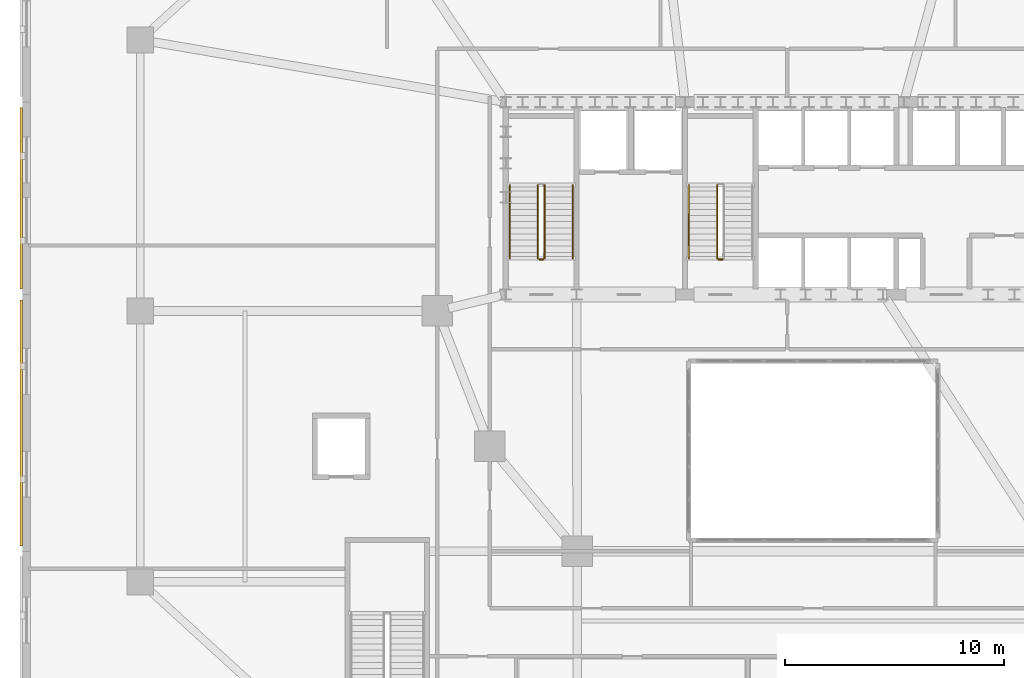
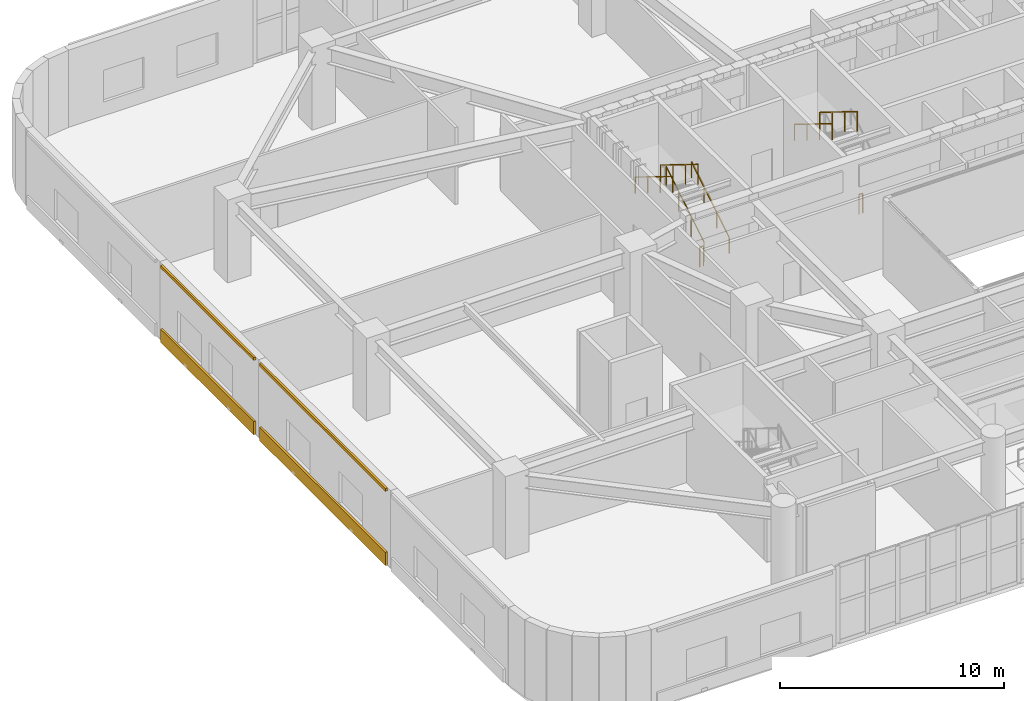
# One storey, part 20 of 25: 8 railings, 4 coverings.
"""IFC4 building model written with IfcOpenShell, lengths in metres."""

import ifcopenshell
import ifcopenshell.guid

model = None  # the IFC model being written
_history = None  # IfcOwnerHistory: only IFC2X3 demands one
_inside = {}  # id of a spatial element -> (the spatial element, [elements in it])
_under = {}  # id of a project, library or spatial element -> (it, [spatial elements below it])
_declared = {}  # id of a project -> (the project, [libraries it declares])
_typed = {}  # id of a type object -> (the type object, [elements of that type])
_made_of = {}  # id of a material, layer set ... -> (it, [elements and type objects made of it])


def new_model(schema):
    """Start an empty IFC model of exactly this schema.

    Asked for "IFC4X3", IfcOpenShell would pick the latest addendum, in which some entities
    have other attributes; the version numbers below select the first issue.
    IFC2X3 requires an IfcOwnerHistory on every rooted entity: one is made here for all.
    """
    global model, _history
    if schema == "IFC4X3":
        model = ifcopenshell.file(schema_version=(4, 3, 0, 0))
    else:
        model = ifcopenshell.file(schema=schema)
    _inside.clear()
    _under.clear()
    _declared.clear()
    _typed.clear()
    _made_of.clear()
    _history = None
    if model.schema == "IFC2X3":
        org = make("IfcOrganization", Name="unknown")
        user = make(
            "IfcPersonAndOrganization",
            ThePerson=make("IfcPerson", FamilyName="unknown"),
            TheOrganization=org,
        )
        app = make(
            "IfcApplication",
            ApplicationDeveloper=org,
            Version="unknown",
            ApplicationFullName="unknown",
            ApplicationIdentifier="unknown",
        )
        _history = make(
            "IfcOwnerHistory",
            OwningUser=user,
            OwningApplication=app,
            ChangeAction="ADDED",
            CreationDate=0,
        )
    return model


def make(cls, **values):
    """One entity of the class cls with the attributes given. An attribute that is None is left unset."""
    return model.create_entity(
        cls, **{name: value for name, value in values.items() if value is not None}
    )


def rooted(cls, **values):
    """An entity with a GlobalId (a new one), such as an element, a storey or a relation."""
    return make(cls, GlobalId=ifcopenshell.guid.new(), OwnerHistory=_history, **values)


def si_unit(unit_type, name, prefix=None):
    """IfcSIUnit, for example si_unit("LENGTHUNIT", "METRE", prefix="MILLI")."""
    return make("IfcSIUnit", UnitType=unit_type, Prefix=prefix, Name=name)


def assignment(units):
    """IfcUnitAssignment: the units of a project."""
    return None if units is None else make("IfcUnitAssignment", Units=units)


def point(xyz):
    """IfcCartesianPoint."""
    return None if xyz is None else make("IfcCartesianPoint", Coordinates=xyz)


def direction(xyz):
    """IfcDirection."""
    return None if xyz is None else make("IfcDirection", DirectionRatios=xyz)


def frame(location, z_axis=None, x_axis=None):
    """IfcAxis2Placement3D, a coordinate frame: its origin and axes. An axis left out is left unset."""
    return make(
        "IfcAxis2Placement3D",
        Location=point(location),
        Axis=direction(z_axis),
        RefDirection=direction(x_axis),
    )


def frame_2d(location, x_axis=None):
    """IfcAxis2Placement2D, a coordinate frame in the plane: its origin and x axis."""
    return make(
        "IfcAxis2Placement2D", Location=point(location), RefDirection=direction(x_axis)
    )


def origin():
    """The frame at (0, 0, 0) with its axes left unset."""
    return frame((0.0, 0.0, 0.0))


def origin_2d():
    """The frame at (0, 0) in the plane with its x axis left unset."""
    return frame_2d((0.0, 0.0))


def place(relative_to, where):
    """IfcLocalPlacement: puts the frame where relative to a parent placement (None: the world)."""
    return make(
        "IfcLocalPlacement", PlacementRelTo=relative_to, RelativePlacement=where
    )


def context(
    kind, dimensions, precision=None, world=None, true_north=None, identifier=None
):
    """IfcGeometricRepresentationContext, for example the 3D "Model" context."""
    return make(
        "IfcGeometricRepresentationContext",
        ContextIdentifier=identifier,
        ContextType=kind,
        CoordinateSpaceDimension=dimensions,
        Precision=precision,
        WorldCoordinateSystem=world,
        TrueNorth=true_north,
    )


def subcontext(parent, identifier, kind, view, scale=None):
    """IfcGeometricRepresentationSubContext, for example "Body" below "Model"."""
    return make(
        "IfcGeometricRepresentationSubContext",
        ContextIdentifier=identifier,
        ContextType=kind,
        ParentContext=parent,
        TargetScale=scale,
        TargetView=view,
    )


def project(units=None, contexts=None):
    """IfcProject with its units and contexts."""
    return rooted(
        "IfcProject",
        Name="project",
        RepresentationContexts=contexts,
        UnitsInContext=assignment(units),
    )


def spatial(cls, under=None, at=None, **own):
    """A site, building, storey or space (cls), placed at a placement, below another one or the project."""
    s = rooted(cls, ObjectPlacement=at, **own)
    if under is not None:
        _under.setdefault(under.id(), (under, []))[1].append(s)
    return s


def polyline(points):
    """IfcPolyline through the points."""
    return make("IfcPolyline", Points=[point(p) for p in points])


def profile(cls, at=None, kind="AREA", **sizes):
    """A parametric profile (cls). Its sizes go by their IFC names, for example OverallWidth=200.0."""
    return make(cls, ProfileType=kind, Position=at, **sizes)


def rectangle(**sizes):
    """IfcRectangleProfileDef."""
    return profile("IfcRectangleProfileDef", **sizes)


def outline(outer, holes=None, kind="AREA"):
    """IfcArbitraryClosedProfileDef: a profile drawn as a closed curve; with holes, ...WithVoids."""
    if holes is None:
        return make("IfcArbitraryClosedProfileDef", ProfileType=kind, OuterCurve=outer)
    return make(
        "IfcArbitraryProfileDefWithVoids",
        ProfileType=kind,
        OuterCurve=outer,
        InnerCurves=holes,
    )


def extrude(swept, where, along, depth):
    """IfcExtrudedAreaSolid: the profile swept, set in the frame where, extruded along a direction by depth."""
    return make(
        "IfcExtrudedAreaSolid",
        SweptArea=swept,
        Position=where,
        ExtrudedDirection=direction(along),
        Depth=depth,
    )


def shape(context_of_items, identifier, shape_type, items):
    """IfcShapeRepresentation: the items that make up one representation, for example the "Body"."""
    return make(
        "IfcShapeRepresentation",
        ContextOfItems=context_of_items,
        RepresentationIdentifier=identifier,
        RepresentationType=shape_type,
        Items=items,
    )


def material(Name=None, Category=None):
    """IfcMaterial."""
    return make("IfcMaterial", Name=Name, Category=Category)


def layer(
    of_material, thickness, ventilated=None, Name=None, Category=None, Priority=None
):
    """IfcMaterialLayer: one layer of a wall or slab, of a material (None: an air gap)."""
    return make(
        "IfcMaterialLayer",
        Material=of_material,
        LayerThickness=thickness,
        IsVentilated=ventilated,
        Name=Name,
        Category=Category,
        Priority=Priority,
    )


def layer_set(layers, Name=None):
    """IfcMaterialLayerSet."""
    return make("IfcMaterialLayerSet", MaterialLayers=layers, LayerSetName=Name)


def made_of(thing, what):
    """Note that an element or type object is made of a material, layer set ...; save() writes the relation."""
    if what is not None:
        _made_of.setdefault(what.id(), (what, []))[1].append(thing)
    return thing


def type_object(cls, material=None, **own):
    """A type object (cls), such as IfcWallType, which elements share."""
    return made_of(rooted(cls, **own), material)


def element(
    cls,
    number,
    at=None,
    inside=None,
    cuts=None,
    type_object=None,
    material=None,
    context=None,
    identifier="Body",
    shape_type=None,
    held_by="IfcProductDefinitionShape",
    body=None,
    shapes=None,
    **own,
):
    """One element of the class cls, such as IfcWall. Its Tag is "e" and its number.

    at: its placement. inside: the storey or other place that contains it. cuts: it is an
    opening in that element (IfcRelVoidsElement). A single representation is given by context,
    identifier, shape_type and body (its items); several are given by shapes. held_by: the class
    of the entity that holds the representations. save() writes the other relations.
    """
    e = rooted(cls, Tag="e%d" % number, ObjectPlacement=at, **own)
    if body is not None:
        shapes = [shape(context, identifier, shape_type, body)]
    if shapes is not None:
        e.Representation = make(held_by, Representations=shapes)
    if inside is not None:
        _inside.setdefault(inside.id(), (inside, []))[1].append(e)
    if cuts is not None:
        rooted(
            "IfcRelVoidsElement", RelatingBuildingElement=cuts, RelatedOpeningElement=e
        )
    if type_object is not None:
        _typed.setdefault(type_object.id(), (type_object, []))[1].append(e)
    return made_of(e, material)


def aggregate(whole, parts):
    """IfcRelAggregates: a whole, such as a stair, and the parts it consists of."""
    return rooted("IfcRelAggregates", RelatingObject=whole, RelatedObjects=parts)


def save(model, path):
    """Write the relations noted so far, then the file.

    IfcRelAggregates (storeys below a building ...), IfcRelContainedInSpatialStructure (elements
    in a storey), IfcRelDefinesByType, IfcRelAssociatesMaterial and IfcRelDeclares: one each for
    every whole, place, type object, material and project.
    """
    for whole, parts in _under.values():
        aggregate(whole, parts)
    for where, things in _inside.values():
        rooted(
            "IfcRelContainedInSpatialStructure",
            RelatedElements=things,
            RelatingStructure=where,
        )
    for kind, things in _typed.values():
        rooted("IfcRelDefinesByType", RelatedObjects=things, RelatingType=kind)
    for what, things in _made_of.values():
        rooted("IfcRelAssociatesMaterial", RelatedObjects=things, RelatingMaterial=what)
    for by, libraries in _declared.values():
        rooted("IfcRelDeclares", RelatingContext=by, RelatedDefinitions=libraries)
    model.write(path)


model = new_model("IFC4")

# Units and contexts
model_context = context("Model", 3, precision=1e-05, world=origin(), true_north=direction((0.0, 1.0)))
body_context = subcontext(model_context, "Body", "Model", "MODEL_VIEW")
ifc_project = project(units=[si_unit("LENGTHUNIT", "METRE"), si_unit("AREAUNIT", "SQUARE_METRE"), si_unit("VOLUMEUNIT", "CUBIC_METRE"), si_unit("PLANEANGLEUNIT", "RADIAN"), si_unit("MASSUNIT", "GRAM", prefix="KILO")], contexts=[model_context])

# Site, building, storey
site_placement = place(None, origin())
site = spatial("IfcSite", under=ifc_project, at=site_placement, CompositionType="ELEMENT")
building_placement = place(site_placement, origin())
building = spatial("IfcBuilding", under=site, at=building_placement, Name="Haldorwick Loom Tower", CompositionType="ELEMENT")
storey_placement = place(building_placement, frame((0.0, 0.0, 6.0)))
storey = spatial("IfcBuildingStorey", under=building, at=storey_placement, Name="L01", CompositionType="ELEMENT", Elevation=6.0)

# Coverings
ifc_material_1 = material(Name="Corbelled Pressed Clay Face Brick Veneer", Category="masonry")
ifc_layer = layer(ifc_material_1, 0.110107421875, Name="Corbelled Pressed Clay Face Brick Veneer", Category="masonry")
ifc_layer_set = layer_set([ifc_layer], Name="Corbelled Pressed Clay Face Brick Veneer")
covering_type = type_object("IfcCoveringType", Name="ARC-COV-BRICK110", PredefinedType="CLADDING", material=ifc_layer_set)
covering_1_placement = place(storey_placement, origin())
element("IfcCovering", 1, at=covering_1_placement, inside=storey, type_object=covering_type, Name="L01 Sill Face-Brick Spandrel 29", PredefinedType="CLADDING", context=body_context, shape_type="SweptSolid", body=[
    extrude(outline(polyline([(-0.2900390625, 35.300048828125), (-0.2900390625, 27.0), (-0.179931640625, 27.0), (-0.179931640625, 35.300048828125), (-0.2900390625, 35.300048828125)])), origin(), (0.0, 0.0, 1.0), 0.719970703125),
])
covering_2_placement = place(storey_placement, frame((0.0, 0.0, 4.0400390625)))
element("IfcCovering", 2, at=covering_2_placement, inside=storey, type_object=covering_type, Name="L01 Head Face-Brick Lintel Band 29", PredefinedType="CLADDING", context=body_context, shape_type="SweptSolid", body=[
    extrude(outline(polyline([(-0.2900390625, 35.300048828125), (-0.2900390625, 27.0), (-0.179931640625, 27.0), (-0.179931640625, 35.300048828125), (-0.2900390625, 35.300048828125)])), origin(), (0.0, 0.0, 1.0), 0.159912109375),
])
covering_3_placement = place(storey_placement, origin())
element("IfcCovering", 3, at=covering_3_placement, inside=storey, type_object=covering_type, Name="L01 Sill Face-Brick Spandrel 30", PredefinedType="CLADDING", context=body_context, shape_type="SweptSolid", body=[
    extrude(outline(polyline([(-0.2900390625, 26.5), (-0.2900390625, 15.25), (-0.179931640625, 15.25), (-0.179931640625, 26.5), (-0.2900390625, 26.5)])), origin(), (0.0, 0.0, 1.0), 0.719970703125),
])
covering_4_placement = place(storey_placement, frame((0.0, 0.0, 4.0400390625)))
element("IfcCovering", 4, at=covering_4_placement, inside=storey, type_object=covering_type, Name="L01 Head Face-Brick Lintel Band 30", PredefinedType="CLADDING", context=body_context, shape_type="SweptSolid", body=[
    extrude(outline(polyline([(-0.2900390625, 26.5), (-0.2900390625, 15.25), (-0.179931640625, 15.25), (-0.179931640625, 26.5), (-0.2900390625, 26.5)])), origin(), (0.0, 0.0, 1.0), 0.159912109375),
])

# Railings
ifc_material_2 = material(Name="Steel CSA G40.21 350W", Category="steel")
railing_type_1 = type_object("IfcRailingType", Name="ARC-RLG-GUARD112", PredefinedType="GUARDRAIL", material=ifc_material_2)
railing_1_placement = place(storey_placement, frame((23.699951171875, 28.39990234375, 0.173095703125)))
element("IfcRailing", 5, at=railing_1_placement, inside=storey, type_object=railing_type_1, Name="L01 ST-01 stair guard 1", PredefinedType="GUARDRAIL", context=body_context, shape_type="SweptSolid", body=[
    extrude(rectangle(XDim=0.048095703125, YDim=0.048095703125, at=origin_2d()), frame((0.0, 0.0, 1.076171875), z_axis=(0.0, 0.850623216509, 0.525775754039), x_axis=(-1.0, 0.0, 0.0)), (0.0, 0.0, 1.0), 3.9501953125),
    extrude(rectangle(XDim=0.0419921875, YDim=0.0419921875, at=origin_2d()), origin(), (0.0, 0.0, 1.0), 1.052001953125),
    extrude(rectangle(XDim=0.0419921875, YDim=0.0419921875, at=origin_2d()), frame((0.0, 1.1201171875, 0.6923828125)), (0.0, 0.0, 1.0), 1.052001953125),
    extrude(rectangle(XDim=0.0419921875, YDim=0.0419921875, at=origin_2d()), frame((0.0, 2.239990234375, 1.384521484375)), (0.0, 0.0, 1.0), 1.052001953125),
    extrude(rectangle(XDim=0.0419921875, YDim=0.0419921875, at=origin_2d()), frame((0.0, 3.360107421875, 2.076904296875)), (0.0, 0.0, 1.0), 1.052001953125),
])
railing_2_placement = place(storey_placement, frame((23.39990234375, 31.760009765625, 2.423095703125)))
element("IfcRailing", 6, at=railing_2_placement, inside=storey, type_object=railing_type_1, Name="L01 ST-01 stair guard 3", PredefinedType="GUARDRAIL", context=body_context, shape_type="SweptSolid", body=[
    extrude(rectangle(XDim=0.048095703125, YDim=0.048095703125, at=origin_2d()), frame((0.0, 0.0, 1.076171875), z_axis=(0.0, -0.850623216509, 0.525775754039), x_axis=(1.0, 0.0, 0.0)), (0.0, 0.0, 1.0), 3.9501953125),
    extrude(rectangle(XDim=0.0419921875, YDim=0.0419921875, at=origin_2d()), origin(), (0.0, 0.0, 1.0), 1.052001953125),
    extrude(rectangle(XDim=0.0419921875, YDim=0.0419921875, at=origin_2d()), frame((0.0, -1.1201171875, 0.6923828125)), (0.0, 0.0, 1.0), 1.052001953125),
    extrude(rectangle(XDim=0.0419921875, YDim=0.0419921875, at=origin_2d()), frame((0.0, -2.239990234375, 1.384521484375)), (0.0, 0.0, 1.0), 1.052001953125),
    extrude(rectangle(XDim=0.0419921875, YDim=0.0419921875, at=origin_2d()), frame((0.0, -3.360107421875, 2.076904296875)), (0.0, 0.0, 1.0), 1.052001953125),
])
railing_3_placement = place(storey_placement, frame((23.64990234375, 28.35009765625, 0.0)))
element("IfcRailing", 7, at=railing_3_placement, inside=storey, type_object=railing_type_1, Name="L01 ST-01 stair guard 4", PredefinedType="GUARDRAIL", context=body_context, shape_type="SweptSolid", body=[
    extrude(rectangle(XDim=0.048095703125, YDim=0.048095703125, at=origin_2d()), frame((0.0, 0.0, 1.076171875), z_axis=(-1.0, 0.0, 0.0), x_axis=(0.0, -1.0, 0.0)), (0.0, 0.0, 1.0), 0.199951171875),
    extrude(rectangle(XDim=0.0419921875, YDim=0.0419921875, at=origin_2d()), origin(), (0.0, 0.0, 1.0), 1.052001953125),
    extrude(rectangle(XDim=0.0419921875, YDim=0.0419921875, at=origin_2d()), frame((-0.199951171875, 0.0, 0.0)), (0.0, 0.0, 1.0), 1.052001953125),
])
railing_4_placement = place(storey_placement, frame((31.60009765625, 31.760009765625, 2.423095703125)))
element("IfcRailing", 8, at=railing_4_placement, inside=storey, type_object=railing_type_1, Name="L01 ST-03 stair guard 3", PredefinedType="GUARDRAIL", context=body_context, shape_type="SweptSolid", body=[
    extrude(rectangle(XDim=0.048095703125, YDim=0.048095703125, at=origin_2d()), frame((0.0, 0.0, 1.076171875), z_axis=(0.0, -0.850623216509, 0.525775754039), x_axis=(1.0, 0.0, 0.0)), (0.0, 0.0, 1.0), 3.9501953125),
    extrude(rectangle(XDim=0.0419921875, YDim=0.0419921875, at=origin_2d()), origin(), (0.0, 0.0, 1.0), 1.052001953125),
    extrude(rectangle(XDim=0.0419921875, YDim=0.0419921875, at=origin_2d()), frame((0.0, -1.1201171875, 0.6923828125)), (0.0, 0.0, 1.0), 1.052001953125),
    extrude(rectangle(XDim=0.0419921875, YDim=0.0419921875, at=origin_2d()), frame((0.0, -2.239990234375, 1.384521484375)), (0.0, 0.0, 1.0), 1.052001953125),
    extrude(rectangle(XDim=0.0419921875, YDim=0.0419921875, at=origin_2d()), frame((0.0, -3.360107421875, 2.076904296875)), (0.0, 0.0, 1.0), 1.052001953125),
])
railing_5_placement = place(storey_placement, frame((31.85009765625, 28.35009765625, 0.0)))
element("IfcRailing", 9, at=railing_5_placement, inside=storey, type_object=railing_type_1, Name="L01 ST-03 stair guard 4", PredefinedType="GUARDRAIL", context=body_context, shape_type="SweptSolid", body=[
    extrude(rectangle(XDim=0.048095703125, YDim=0.048095703125, at=origin_2d()), frame((0.0, 0.0, 1.076171875), z_axis=(-1.0, 0.0, 0.0), x_axis=(0.0, -1.0, 0.0)), (0.0, 0.0, 1.0), 0.2001953125),
    extrude(rectangle(XDim=0.0419921875, YDim=0.0419921875, at=origin_2d()), origin(), (0.0, 0.0, 1.0), 1.052001953125),
    extrude(rectangle(XDim=0.0419921875, YDim=0.0419921875, at=origin_2d()), frame((-0.2001953125, 0.0, 0.0)), (0.0, 0.0, 1.0), 1.052001953125),
])
railing_type_2 = type_object("IfcRailingType", Name="ARC-RLG-HAND092", PredefinedType="HANDRAIL", material=ifc_material_2)
railing_6_placement = place(storey_placement, frame((25.0, 28.39990234375, 0.173095703125)))
element("IfcRailing", 10, at=railing_6_placement, inside=storey, type_object=railing_type_2, Name="L01 ST-01 stair handrail 1", PredefinedType="HANDRAIL", context=body_context, shape_type="SweptSolid", body=[
    extrude(rectangle(XDim=0.048095703125, YDim=0.048095703125, at=origin_2d()), frame((0.0, 0.0, 0.8759765625), z_axis=(0.0, 0.850623216509, 0.525775754039), x_axis=(-1.0, 0.0, 0.0)), (0.0, 0.0, 1.0), 3.9501953125),
    extrude(rectangle(XDim=0.0419921875, YDim=0.0419921875, at=origin_2d()), origin(), (0.0, 0.0, 1.0), 0.851806640625),
    extrude(rectangle(XDim=0.0419921875, YDim=0.0419921875, at=origin_2d()), frame((0.0, 1.1201171875, 0.6923828125)), (0.0, 0.0, 1.0), 0.851806640625),
    extrude(rectangle(XDim=0.0419921875, YDim=0.0419921875, at=origin_2d()), frame((0.0, 2.239990234375, 1.384521484375)), (0.0, 0.0, 1.0), 0.851806640625),
    extrude(rectangle(XDim=0.0419921875, YDim=0.0419921875, at=origin_2d()), frame((0.0, 3.360107421875, 2.076904296875)), (0.0, 0.0, 1.0), 0.851806640625),
])
for number, where, name in (
    (11, (22.10009765625, 31.760009765625, 2.423095703125), "L01 ST-01 stair handrail 2"),
    (12, (30.300048828125, 31.760009765625, 2.423095703125), "L01 ST-03 stair handrail 2"),
):
    element("IfcRailing", number, at=place(storey_placement, frame(where)), inside=storey, type_object=railing_type_2, Name=name, PredefinedType="HANDRAIL", context=body_context, shape_type="SweptSolid", body=[
        extrude(rectangle(XDim=0.048095703125, YDim=0.048095703125, at=origin_2d()), frame((0.0, 0.0, 0.8759765625), z_axis=(0.0, -0.850623216509, 0.525775754039), x_axis=(1.0, 0.0, 0.0)), (0.0, 0.0, 1.0), 3.9501953125),
        extrude(rectangle(XDim=0.0419921875, YDim=0.0419921875, at=origin_2d()), origin(), (0.0, 0.0, 1.0), 0.851806640625),
        extrude(rectangle(XDim=0.0419921875, YDim=0.0419921875, at=origin_2d()), frame((0.0, -1.1201171875, 0.6923828125)), (0.0, 0.0, 1.0), 0.851806640625),
        extrude(rectangle(XDim=0.0419921875, YDim=0.0419921875, at=origin_2d()), frame((0.0, -2.239990234375, 1.384521484375)), (0.0, 0.0, 1.0), 0.851806640625),
        extrude(rectangle(XDim=0.0419921875, YDim=0.0419921875, at=origin_2d()), frame((0.0, -3.360107421875, 2.076904296875)), (0.0, 0.0, 1.0), 0.851806640625),
    ])

save(model, "model.ifc")
